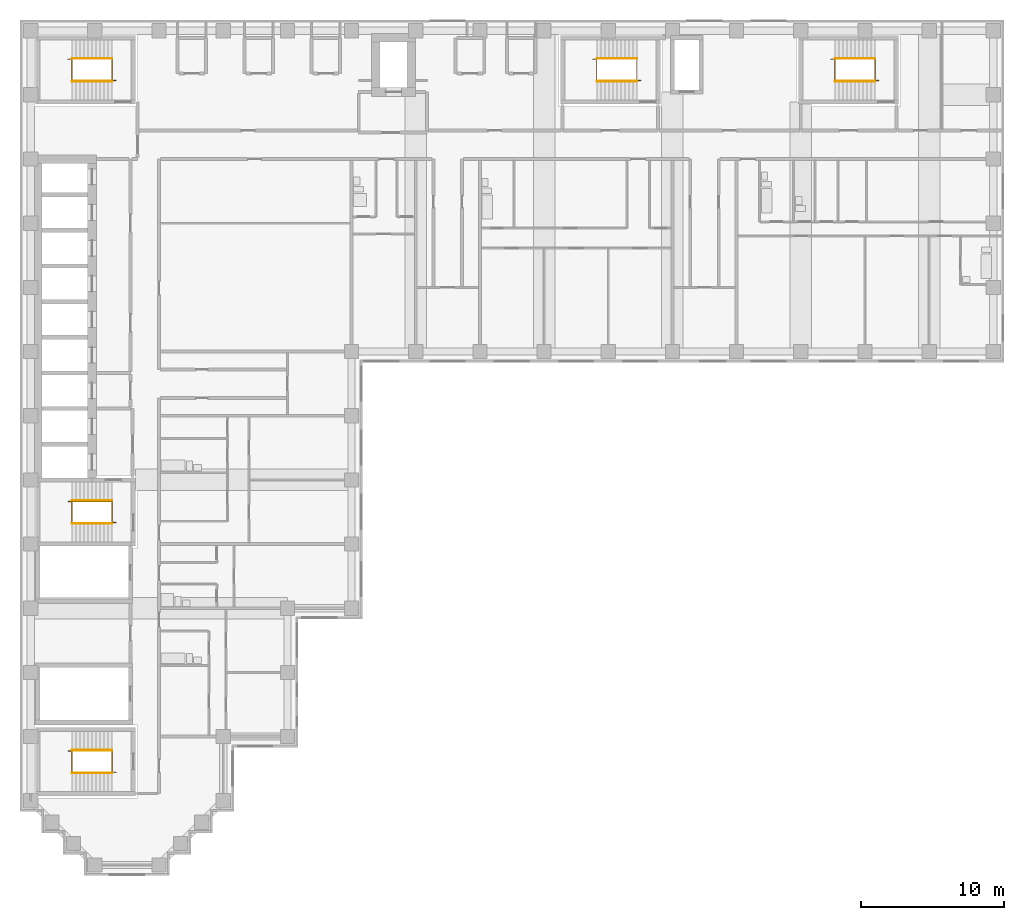
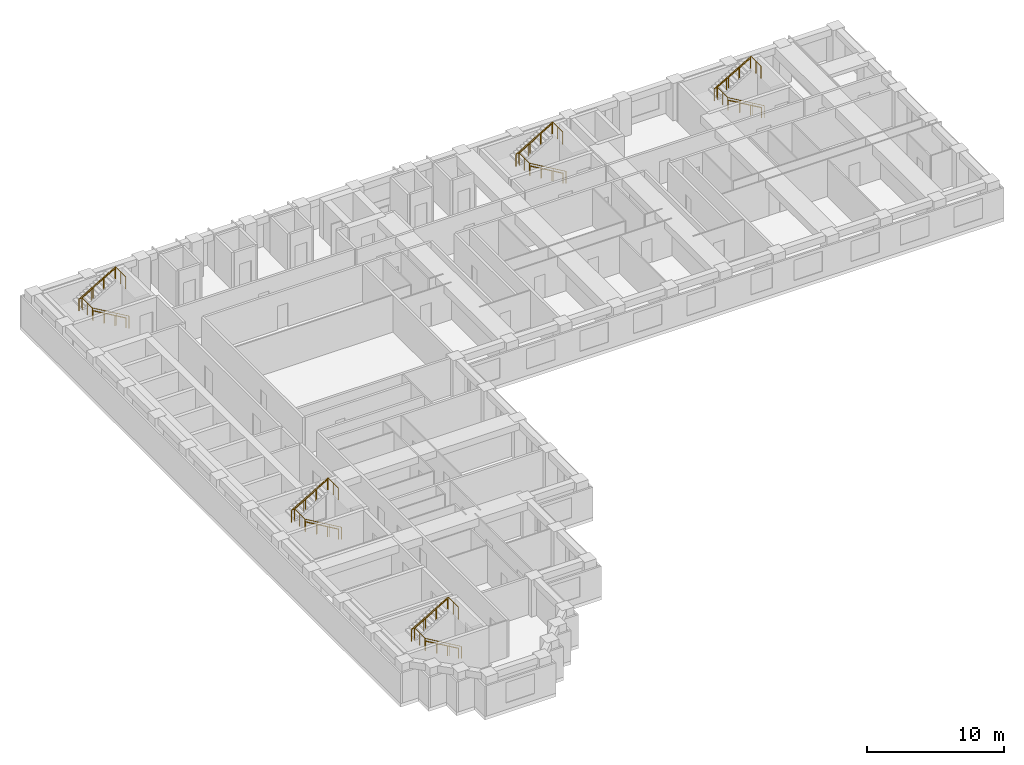
# One storey, part 11 of 12: 15 railings.
"""IFC4 building model written with IfcOpenShell, lengths in metres."""

from ifc_helpers import new_model, si_unit, direction, frame, origin, origin_2d, place, context, subcontext, project, spatial, circle, extrude, material, type_object, element, save


model = new_model("IFC4")

# Units and contexts
model_context = context("Model", 3, precision=1e-05, world=origin(), true_north=direction((0.0, 1.0)))
body_context = subcontext(model_context, "Body", "Model", "MODEL_VIEW")
ifc_project = project(units=[si_unit("LENGTHUNIT", "METRE"), si_unit("AREAUNIT", "SQUARE_METRE"), si_unit("VOLUMEUNIT", "CUBIC_METRE"), si_unit("PLANEANGLEUNIT", "RADIAN"), si_unit("MASSUNIT", "GRAM", prefix="KILO")], contexts=[model_context])

# Site, building, storey
site_placement = place(None, origin())
site = spatial("IfcSite", under=ifc_project, at=site_placement, CompositionType="ELEMENT")
building_placement = place(site_placement, origin())
building = spatial("IfcBuilding", under=site, at=building_placement, Name="Firuza Court", CompositionType="ELEMENT")
storey_placement = place(building_placement, frame((0.0, 0.0, 144.800048828125)))
storey = spatial("IfcBuildingStorey", under=building, at=storey_placement, Name="L36", CompositionType="ELEMENT", Elevation=144.800048828125)

# Railings
ifc_material_1 = material(Name="Steel S355", Category="steel")
railing_type_1 = type_object("IfcRailingType", Name="Handrail 900", PredefinedType="HANDRAIL", material=ifc_material_1)
railing_1_placement = place(storey_placement, frame((42.5, 54.949951171875, 0.16357421875)))
element("IfcRailing", 1, at=railing_1_placement, inside=storey, type_object=railing_type_1, Name="Handrail S1 flight 1", PredefinedType="HANDRAIL", context=body_context, shape_type="SweptSolid", body=[
    extrude(circle(Radius=0.02490234375, at=origin_2d()), frame((0.0, 0.0, 0.875), z_axis=(-0.863360870873, 0.0, 0.504586966384), x_axis=(0.0, -1.0, 0.0)), (0.0, 0.0, 1.0), 3.2431640625),
    extrude(circle(Radius=0.02001953125, at=origin_2d()), origin(), (0.0, 0.0, 1.0), 0.849853515625),
    extrude(circle(Radius=0.02001953125, at=origin_2d()), frame((-0.933349609375, 0.0, 0.54541015625)), (0.0, 0.0, 1.0), 0.849853515625),
    extrude(circle(Radius=0.02001953125, at=origin_2d()), frame((-1.86669921875, 0.0, 1.091064453125)), (0.0, 0.0, 1.0), 0.849853515625),
    extrude(circle(Radius=0.02001953125, at=origin_2d()), frame((-2.800048828125, 0.0, 1.636474609375)), (0.0, 0.0, 1.0), 0.849853515625),
])
railing_2_placement = place(storey_placement, frame((39.699951171875, 56.550048828125, 1.963623046875)))
element("IfcRailing", 2, at=railing_2_placement, inside=storey, type_object=railing_type_1, Name="Handrail S1 flight 2", PredefinedType="HANDRAIL", context=body_context, shape_type="SweptSolid", body=[
    extrude(circle(Radius=0.02490234375, at=origin_2d()), frame((0.0, 0.0, 0.875), z_axis=(0.863393664356, 0.0, 0.504530851732), x_axis=(0.0, 1.0, 0.0)), (0.0, 0.0, 1.0), 3.2431640625),
    extrude(circle(Radius=0.02001953125, at=origin_2d()), origin(), (0.0, 0.0, 1.0), 0.849853515625),
    extrude(circle(Radius=0.02001953125, at=origin_2d()), frame((0.933349609375, 0.0, 0.54541015625)), (0.0, 0.0, 1.0), 0.849853515625),
    extrude(circle(Radius=0.02001953125, at=origin_2d()), frame((1.86669921875, 0.0, 1.0908203125)), (0.0, 0.0, 1.0), 0.849853515625),
    extrude(circle(Radius=0.02001953125, at=origin_2d()), frame((2.800048828125, 0.0, 1.63623046875)), (0.0, 0.0, 1.0), 0.849853515625),
])
railing_3_placement = place(storey_placement, frame((5.699951171875, 23.949951171875, 0.16357421875)))
element("IfcRailing", 3, at=railing_3_placement, inside=storey, type_object=railing_type_1, Name="Handrail S2 flight 1", PredefinedType="HANDRAIL", context=body_context, shape_type="SweptSolid", body=[
    extrude(circle(Radius=0.02490234375, at=origin_2d()), frame((0.0, 0.0, 0.875), z_axis=(-0.863360870873, 0.0, 0.504586966384), x_axis=(0.0, -1.0, 0.0)), (0.0, 0.0, 1.0), 3.2431640625),
    extrude(circle(Radius=0.02001953125, at=origin_2d()), origin(), (0.0, 0.0, 1.0), 0.849853515625),
    extrude(circle(Radius=0.02001953125, at=origin_2d()), frame((-0.933349609375, 0.0, 0.54541015625)), (0.0, 0.0, 1.0), 0.849853515625),
    extrude(circle(Radius=0.02001953125, at=origin_2d()), frame((-1.86669921875, 0.0, 1.091064453125)), (0.0, 0.0, 1.0), 0.849853515625),
    extrude(circle(Radius=0.02001953125, at=origin_2d()), frame((-2.800048828125, 0.0, 1.636474609375)), (0.0, 0.0, 1.0), 0.849853515625),
])
railing_4_placement = place(storey_placement, frame((2.89990234375, 25.550048828125, 1.963623046875)))
element("IfcRailing", 4, at=railing_4_placement, inside=storey, type_object=railing_type_1, Name="Handrail S2 flight 2", PredefinedType="HANDRAIL", context=body_context, shape_type="SweptSolid", body=[
    extrude(circle(Radius=0.02490234375, at=origin_2d()), frame((0.0, 0.0, 0.875), z_axis=(0.863393664356, 0.0, 0.504530851732), x_axis=(0.0, 1.0, 0.0)), (0.0, 0.0, 1.0), 3.2431640625),
    extrude(circle(Radius=0.02001953125, at=origin_2d()), origin(), (0.0, 0.0, 1.0), 0.849853515625),
    extrude(circle(Radius=0.02001953125, at=origin_2d()), frame((0.933349609375, 0.0, 0.54541015625)), (0.0, 0.0, 1.0), 0.849853515625),
    extrude(circle(Radius=0.02001953125, at=origin_2d()), frame((1.86669921875, 0.0, 1.0908203125)), (0.0, 0.0, 1.0), 0.849853515625),
    extrude(circle(Radius=0.02001953125, at=origin_2d()), frame((2.800048828125, 0.0, 1.63623046875)), (0.0, 0.0, 1.0), 0.849853515625),
])
railing_5_placement = place(storey_placement, frame((5.699951171875, 54.949951171875, 0.16357421875)))
element("IfcRailing", 5, at=railing_5_placement, inside=storey, type_object=railing_type_1, Name="Handrail S3 flight 1", PredefinedType="HANDRAIL", context=body_context, shape_type="SweptSolid", body=[
    extrude(circle(Radius=0.02490234375, at=origin_2d()), frame((0.0, 0.0, 0.875), z_axis=(-0.863360870873, 0.0, 0.504586966384), x_axis=(0.0, -1.0, 0.0)), (0.0, 0.0, 1.0), 3.2431640625),
    extrude(circle(Radius=0.02001953125, at=origin_2d()), origin(), (0.0, 0.0, 1.0), 0.849853515625),
    extrude(circle(Radius=0.02001953125, at=origin_2d()), frame((-0.933349609375, 0.0, 0.54541015625)), (0.0, 0.0, 1.0), 0.849853515625),
    extrude(circle(Radius=0.02001953125, at=origin_2d()), frame((-1.86669921875, 0.0, 1.091064453125)), (0.0, 0.0, 1.0), 0.849853515625),
    extrude(circle(Radius=0.02001953125, at=origin_2d()), frame((-2.800048828125, 0.0, 1.636474609375)), (0.0, 0.0, 1.0), 0.849853515625),
])
railing_6_placement = place(storey_placement, frame((2.89990234375, 56.550048828125, 1.963623046875)))
element("IfcRailing", 6, at=railing_6_placement, inside=storey, type_object=railing_type_1, Name="Handrail S3 flight 2", PredefinedType="HANDRAIL", context=body_context, shape_type="SweptSolid", body=[
    extrude(circle(Radius=0.02490234375, at=origin_2d()), frame((0.0, 0.0, 0.875), z_axis=(0.863393664356, 0.0, 0.504530851732), x_axis=(0.0, 1.0, 0.0)), (0.0, 0.0, 1.0), 3.2431640625),
    extrude(circle(Radius=0.02001953125, at=origin_2d()), origin(), (0.0, 0.0, 1.0), 0.849853515625),
    extrude(circle(Radius=0.02001953125, at=origin_2d()), frame((0.933349609375, 0.0, 0.54541015625)), (0.0, 0.0, 1.0), 0.849853515625),
    extrude(circle(Radius=0.02001953125, at=origin_2d()), frame((1.86669921875, 0.0, 1.0908203125)), (0.0, 0.0, 1.0), 0.849853515625),
    extrude(circle(Radius=0.02001953125, at=origin_2d()), frame((2.800048828125, 0.0, 1.63623046875)), (0.0, 0.0, 1.0), 0.849853515625),
])
railing_7_placement = place(storey_placement, frame((59.199951171875, 54.949951171875, 0.16357421875)))
element("IfcRailing", 7, at=railing_7_placement, inside=storey, type_object=railing_type_1, Name="Handrail S4 flight 1", PredefinedType="HANDRAIL", context=body_context, shape_type="SweptSolid", body=[
    extrude(circle(Radius=0.02490234375, at=origin_2d()), frame((0.0, 0.0, 0.875), z_axis=(-0.863360870873, 0.0, 0.504586966384), x_axis=(0.0, -1.0, 0.0)), (0.0, 0.0, 1.0), 3.2431640625),
    extrude(circle(Radius=0.02001953125, at=origin_2d()), origin(), (0.0, 0.0, 1.0), 0.849853515625),
    extrude(circle(Radius=0.02001953125, at=origin_2d()), frame((-0.933349609375, 0.0, 0.54541015625)), (0.0, 0.0, 1.0), 0.849853515625),
    extrude(circle(Radius=0.02001953125, at=origin_2d()), frame((-1.86669921875, 0.0, 1.091064453125)), (0.0, 0.0, 1.0), 0.849853515625),
    extrude(circle(Radius=0.02001953125, at=origin_2d()), frame((-2.800048828125, 0.0, 1.636474609375)), (0.0, 0.0, 1.0), 0.849853515625),
])
railing_8_placement = place(storey_placement, frame((56.39990234375, 56.550048828125, 1.963623046875)))
element("IfcRailing", 8, at=railing_8_placement, inside=storey, type_object=railing_type_1, Name="Handrail S4 flight 2", PredefinedType="HANDRAIL", context=body_context, shape_type="SweptSolid", body=[
    extrude(circle(Radius=0.02490234375, at=origin_2d()), frame((0.0, 0.0, 0.875), z_axis=(0.863393664356, 0.0, 0.504530851732), x_axis=(0.0, 1.0, 0.0)), (0.0, 0.0, 1.0), 3.2431640625),
    extrude(circle(Radius=0.02001953125, at=origin_2d()), origin(), (0.0, 0.0, 1.0), 0.849853515625),
    extrude(circle(Radius=0.02001953125, at=origin_2d()), frame((0.933349609375, 0.0, 0.54541015625)), (0.0, 0.0, 1.0), 0.849853515625),
    extrude(circle(Radius=0.02001953125, at=origin_2d()), frame((1.86669921875, 0.0, 1.0908203125)), (0.0, 0.0, 1.0), 0.849853515625),
    extrude(circle(Radius=0.02001953125, at=origin_2d()), frame((2.800048828125, 0.0, 1.63623046875)), (0.0, 0.0, 1.0), 0.849853515625),
])
railing_9_placement = place(storey_placement, frame((5.699951171875, 6.449951171875, 0.16357421875)))
element("IfcRailing", 9, at=railing_9_placement, inside=storey, type_object=railing_type_1, Name="Handrail S5 flight 1", PredefinedType="HANDRAIL", context=body_context, shape_type="SweptSolid", body=[
    extrude(circle(Radius=0.02490234375, at=origin_2d()), frame((0.0, 0.0, 0.875), z_axis=(-0.863360870873, 0.0, 0.504586966384), x_axis=(0.0, -1.0, 0.0)), (0.0, 0.0, 1.0), 3.2431640625),
    extrude(circle(Radius=0.02001953125, at=origin_2d()), origin(), (0.0, 0.0, 1.0), 0.849853515625),
    extrude(circle(Radius=0.02001953125, at=origin_2d()), frame((-0.933349609375, 0.0, 0.54541015625)), (0.0, 0.0, 1.0), 0.849853515625),
    extrude(circle(Radius=0.02001953125, at=origin_2d()), frame((-1.86669921875, 0.0, 1.091064453125)), (0.0, 0.0, 1.0), 0.849853515625),
    extrude(circle(Radius=0.02001953125, at=origin_2d()), frame((-2.800048828125, 0.0, 1.636474609375)), (0.0, 0.0, 1.0), 0.849853515625),
])
railing_10_placement = place(storey_placement, frame((2.89990234375, 8.050048828125, 1.963623046875)))
element("IfcRailing", 10, at=railing_10_placement, inside=storey, type_object=railing_type_1, Name="Handrail S5 flight 2", PredefinedType="HANDRAIL", context=body_context, shape_type="SweptSolid", body=[
    extrude(circle(Radius=0.02490234375, at=origin_2d()), frame((0.0, 0.0, 0.875), z_axis=(0.863393664356, 0.0, 0.504530851732), x_axis=(0.0, 1.0, 0.0)), (0.0, 0.0, 1.0), 3.2431640625),
    extrude(circle(Radius=0.02001953125, at=origin_2d()), origin(), (0.0, 0.0, 1.0), 0.849853515625),
    extrude(circle(Radius=0.02001953125, at=origin_2d()), frame((0.933349609375, 0.0, 0.54541015625)), (0.0, 0.0, 1.0), 0.849853515625),
    extrude(circle(Radius=0.02001953125, at=origin_2d()), frame((1.86669921875, 0.0, 1.0908203125)), (0.0, 0.0, 1.0), 0.849853515625),
    extrude(circle(Radius=0.02001953125, at=origin_2d()), frame((2.800048828125, 0.0, 1.63623046875)), (0.0, 0.0, 1.0), 0.849853515625),
])
ifc_material_2 = material(Name="Steel S355", Category="steel")
railing_type_2 = type_object("IfcRailingType", Name="Stair guard 1100", PredefinedType="GUARDRAIL", material=ifc_material_2)
railing_11_placement = place(storey_placement, frame((42.780029296875, 55.010009765625, 0.0)))
element("IfcRailing", 11, at=railing_11_placement, inside=storey, type_object=railing_type_2, Name="Stair well guard S1", PredefinedType="GUARDRAIL", context=body_context, shape_type="SweptSolid", body=[
    extrude(circle(Radius=0.02490234375, at=origin_2d()), frame((0.0, 0.0, 1.0751953125), z_axis=(-0.863371556955, 0.0, 0.504568681787), x_axis=(0.0, -1.0, 0.0)), (0.0, 0.0, 1.0), 3.5673828125),
    extrude(circle(Radius=0.02490234375, at=origin_2d()), frame((-3.080078125, 0.0, 2.875), z_axis=(0.0, 1.0, 0.0), x_axis=(-1.0, 0.0, 0.0)), (0.0, 0.0, 1.0), 1.47998046875),
    extrude(circle(Radius=0.02490234375, at=origin_2d()), frame((-3.080078125, 1.47998046875, 2.875), z_axis=(-1.0, 0.0, 0.0), x_axis=(0.0, -1.0, 0.0)), (0.0, 0.0, 1.0), 0.280029296875),
    extrude(circle(Radius=0.02490234375, at=origin_2d()), frame((-3.360107421875, 1.47998046875, 2.875), z_axis=(0.863401368682, 0.0, 0.504517667242), x_axis=(0.0, 1.0, 0.0)), (0.0, 0.0, 1.0), 3.5673828125),
    extrude(circle(Radius=0.02490234375, at=origin_2d()), frame((-0.280029296875, 1.47998046875, 4.6748046875), z_axis=(0.0, -1.0, 0.0), x_axis=(1.0, 0.0, 0.0)), (0.0, 0.0, 1.0), 1.47998046875),
    extrude(circle(Radius=0.02490234375, at=origin_2d()), origin(), (0.0, 0.0, 1.0), 1.050048828125),
    extrude(circle(Radius=0.02490234375, at=origin_2d()), frame((-1.026611328125, 0.0, 0.60009765625)), (0.0, 0.0, 1.0), 1.050048828125),
    extrude(circle(Radius=0.02490234375, at=origin_2d()), frame((-2.053466796875, 0.0, 1.199951171875)), (0.0, 0.0, 1.0), 1.050048828125),
    extrude(circle(Radius=0.02490234375, at=origin_2d()), frame((-3.080078125, 0.0, 1.800048828125)), (0.0, 0.0, 1.0), 1.050048828125),
    extrude(circle(Radius=0.02490234375, at=origin_2d()), frame((-3.080078125, 0.739990234375, 1.800048828125)), (0.0, 0.0, 1.0), 1.050048828125),
    extrude(circle(Radius=0.02490234375, at=origin_2d()), frame((-3.080078125, 1.47998046875, 1.800048828125)), (0.0, 0.0, 1.0), 1.050048828125),
    extrude(circle(Radius=0.02490234375, at=origin_2d()), frame((-3.360107421875, 1.47998046875, 1.800048828125)), (0.0, 0.0, 1.0), 1.050048828125),
    extrude(circle(Radius=0.02490234375, at=origin_2d()), frame((-2.33349609375, 1.47998046875, 2.39990234375)), (0.0, 0.0, 1.0), 1.050048828125),
    extrude(circle(Radius=0.02490234375, at=origin_2d()), frame((-1.306640625, 1.47998046875, 3.0)), (0.0, 0.0, 1.0), 1.050048828125),
    extrude(circle(Radius=0.02490234375, at=origin_2d()), frame((-0.280029296875, 1.47998046875, 3.599853515625)), (0.0, 0.0, 1.0), 1.050048828125),
    extrude(circle(Radius=0.02490234375, at=origin_2d()), frame((-0.280029296875, 0.739990234375, 3.599853515625)), (0.0, 0.0, 1.0), 1.050048828125),
    extrude(circle(Radius=0.02490234375, at=origin_2d()), frame((-0.280029296875, 0.0, 3.599853515625)), (0.0, 0.0, 1.0), 1.050048828125),
])
railing_12_placement = place(storey_placement, frame((5.97998046875, 24.010009765625, 0.0)))
element("IfcRailing", 12, at=railing_12_placement, inside=storey, type_object=railing_type_2, Name="Stair well guard S2", PredefinedType="GUARDRAIL", context=body_context, shape_type="SweptSolid", body=[
    extrude(circle(Radius=0.02490234375, at=origin_2d()), frame((0.0, 0.0, 1.0751953125), z_axis=(-0.863371556955, 0.0, 0.504568681787), x_axis=(0.0, -1.0, 0.0)), (0.0, 0.0, 1.0), 3.5673828125),
    extrude(circle(Radius=0.02490234375, at=origin_2d()), frame((-3.080078125, 0.0, 2.875), z_axis=(0.0, 1.0, 0.0), x_axis=(-1.0, 0.0, 0.0)), (0.0, 0.0, 1.0), 1.47998046875),
    extrude(circle(Radius=0.02490234375, at=origin_2d()), frame((-3.080078125, 1.47998046875, 2.875), z_axis=(-1.0, 0.0, 0.0), x_axis=(0.0, -1.0, 0.0)), (0.0, 0.0, 1.0), 0.27978515625),
    extrude(circle(Radius=0.02490234375, at=origin_2d()), frame((-3.35986328125, 1.47998046875, 2.875), z_axis=(0.863383947312, 0.0, 0.504547479951), x_axis=(0.0, 1.0, 0.0)), (0.0, 0.0, 1.0), 3.567138671875),
    extrude(circle(Radius=0.02490234375, at=origin_2d()), frame((-0.280029296875, 1.47998046875, 4.6748046875), z_axis=(0.0, -1.0, 0.0), x_axis=(1.0, 0.0, 0.0)), (0.0, 0.0, 1.0), 1.47998046875),
    extrude(circle(Radius=0.02490234375, at=origin_2d()), origin(), (0.0, 0.0, 1.0), 1.050048828125),
    extrude(circle(Radius=0.02490234375, at=origin_2d()), frame((-1.026611328125, 0.0, 0.60009765625)), (0.0, 0.0, 1.0), 1.050048828125),
    extrude(circle(Radius=0.02490234375, at=origin_2d()), frame((-2.053466796875, 0.0, 1.199951171875)), (0.0, 0.0, 1.0), 1.050048828125),
    extrude(circle(Radius=0.02490234375, at=origin_2d()), frame((-3.080078125, 0.0, 1.800048828125)), (0.0, 0.0, 1.0), 1.050048828125),
    extrude(circle(Radius=0.02490234375, at=origin_2d()), frame((-3.080078125, 0.739990234375, 1.800048828125)), (0.0, 0.0, 1.0), 1.050048828125),
    extrude(circle(Radius=0.02490234375, at=origin_2d()), frame((-3.080078125, 1.47998046875, 1.800048828125)), (0.0, 0.0, 1.0), 1.050048828125),
    extrude(circle(Radius=0.02490234375, at=origin_2d()), frame((-3.35986328125, 1.47998046875, 1.800048828125)), (0.0, 0.0, 1.0), 1.050048828125),
    extrude(circle(Radius=0.02490234375, at=origin_2d()), frame((-2.333251953125, 1.47998046875, 2.39990234375)), (0.0, 0.0, 1.0), 1.050048828125),
    extrude(circle(Radius=0.02490234375, at=origin_2d()), frame((-1.306640625, 1.47998046875, 3.0)), (0.0, 0.0, 1.0), 1.050048828125),
    extrude(circle(Radius=0.02490234375, at=origin_2d()), frame((-0.280029296875, 1.47998046875, 3.599853515625)), (0.0, 0.0, 1.0), 1.050048828125),
    extrude(circle(Radius=0.02490234375, at=origin_2d()), frame((-0.280029296875, 0.739990234375, 3.599853515625)), (0.0, 0.0, 1.0), 1.050048828125),
    extrude(circle(Radius=0.02490234375, at=origin_2d()), frame((-0.280029296875, 0.0, 3.599853515625)), (0.0, 0.0, 1.0), 1.050048828125),
])
railing_13_placement = place(storey_placement, frame((5.97998046875, 55.010009765625, 0.0)))
element("IfcRailing", 13, at=railing_13_placement, inside=storey, type_object=railing_type_2, Name="Stair well guard S3", PredefinedType="GUARDRAIL", context=body_context, shape_type="SweptSolid", body=[
    extrude(circle(Radius=0.02490234375, at=origin_2d()), frame((0.0, 0.0, 1.0751953125), z_axis=(-0.863371556955, 0.0, 0.504568681787), x_axis=(0.0, -1.0, 0.0)), (0.0, 0.0, 1.0), 3.5673828125),
    extrude(circle(Radius=0.02490234375, at=origin_2d()), frame((-3.080078125, 0.0, 2.875), z_axis=(0.0, 1.0, 0.0), x_axis=(-1.0, 0.0, 0.0)), (0.0, 0.0, 1.0), 1.47998046875),
    extrude(circle(Radius=0.02490234375, at=origin_2d()), frame((-3.080078125, 1.47998046875, 2.875), z_axis=(-1.0, 0.0, 0.0), x_axis=(0.0, -1.0, 0.0)), (0.0, 0.0, 1.0), 0.27978515625),
    extrude(circle(Radius=0.02490234375, at=origin_2d()), frame((-3.35986328125, 1.47998046875, 2.875), z_axis=(0.863383947312, 0.0, 0.504547479951), x_axis=(0.0, 1.0, 0.0)), (0.0, 0.0, 1.0), 3.567138671875),
    extrude(circle(Radius=0.02490234375, at=origin_2d()), frame((-0.280029296875, 1.47998046875, 4.6748046875), z_axis=(0.0, -1.0, 0.0), x_axis=(1.0, 0.0, 0.0)), (0.0, 0.0, 1.0), 1.47998046875),
    extrude(circle(Radius=0.02490234375, at=origin_2d()), origin(), (0.0, 0.0, 1.0), 1.050048828125),
    extrude(circle(Radius=0.02490234375, at=origin_2d()), frame((-1.026611328125, 0.0, 0.60009765625)), (0.0, 0.0, 1.0), 1.050048828125),
    extrude(circle(Radius=0.02490234375, at=origin_2d()), frame((-2.053466796875, 0.0, 1.199951171875)), (0.0, 0.0, 1.0), 1.050048828125),
    extrude(circle(Radius=0.02490234375, at=origin_2d()), frame((-3.080078125, 0.0, 1.800048828125)), (0.0, 0.0, 1.0), 1.050048828125),
    extrude(circle(Radius=0.02490234375, at=origin_2d()), frame((-3.080078125, 0.739990234375, 1.800048828125)), (0.0, 0.0, 1.0), 1.050048828125),
    extrude(circle(Radius=0.02490234375, at=origin_2d()), frame((-3.080078125, 1.47998046875, 1.800048828125)), (0.0, 0.0, 1.0), 1.050048828125),
    extrude(circle(Radius=0.02490234375, at=origin_2d()), frame((-3.35986328125, 1.47998046875, 1.800048828125)), (0.0, 0.0, 1.0), 1.050048828125),
    extrude(circle(Radius=0.02490234375, at=origin_2d()), frame((-2.333251953125, 1.47998046875, 2.39990234375)), (0.0, 0.0, 1.0), 1.050048828125),
    extrude(circle(Radius=0.02490234375, at=origin_2d()), frame((-1.306640625, 1.47998046875, 3.0)), (0.0, 0.0, 1.0), 1.050048828125),
    extrude(circle(Radius=0.02490234375, at=origin_2d()), frame((-0.280029296875, 1.47998046875, 3.599853515625)), (0.0, 0.0, 1.0), 1.050048828125),
    extrude(circle(Radius=0.02490234375, at=origin_2d()), frame((-0.280029296875, 0.739990234375, 3.599853515625)), (0.0, 0.0, 1.0), 1.050048828125),
    extrude(circle(Radius=0.02490234375, at=origin_2d()), frame((-0.280029296875, 0.0, 3.599853515625)), (0.0, 0.0, 1.0), 1.050048828125),
])
railing_14_placement = place(storey_placement, frame((59.47998046875, 55.010009765625, 0.0)))
element("IfcRailing", 14, at=railing_14_placement, inside=storey, type_object=railing_type_2, Name="Stair well guard S4", PredefinedType="GUARDRAIL", context=body_context, shape_type="SweptSolid", body=[
    extrude(circle(Radius=0.02490234375, at=origin_2d()), frame((0.0, 0.0, 1.0751953125), z_axis=(-0.863371556955, 0.0, 0.504568681787), x_axis=(0.0, -1.0, 0.0)), (0.0, 0.0, 1.0), 3.5673828125),
    extrude(circle(Radius=0.02490234375, at=origin_2d()), frame((-3.080078125, 0.0, 2.875), z_axis=(0.0, 1.0, 0.0), x_axis=(-1.0, 0.0, 0.0)), (0.0, 0.0, 1.0), 1.47998046875),
    extrude(circle(Radius=0.02490234375, at=origin_2d()), frame((-3.080078125, 1.47998046875, 2.875), z_axis=(-1.0, 0.0, 0.0), x_axis=(0.0, -1.0, 0.0)), (0.0, 0.0, 1.0), 0.27978515625),
    extrude(circle(Radius=0.02490234375, at=origin_2d()), frame((-3.35986328125, 1.47998046875, 2.875), z_axis=(0.863383947312, 0.0, 0.504547479951), x_axis=(0.0, 1.0, 0.0)), (0.0, 0.0, 1.0), 3.567138671875),
    extrude(circle(Radius=0.02490234375, at=origin_2d()), frame((-0.280029296875, 1.47998046875, 4.6748046875), z_axis=(0.0, -1.0, 0.0), x_axis=(1.0, 0.0, 0.0)), (0.0, 0.0, 1.0), 1.47998046875),
    extrude(circle(Radius=0.02490234375, at=origin_2d()), origin(), (0.0, 0.0, 1.0), 1.050048828125),
    extrude(circle(Radius=0.02490234375, at=origin_2d()), frame((-1.026611328125, 0.0, 0.60009765625)), (0.0, 0.0, 1.0), 1.050048828125),
    extrude(circle(Radius=0.02490234375, at=origin_2d()), frame((-2.053466796875, 0.0, 1.199951171875)), (0.0, 0.0, 1.0), 1.050048828125),
    extrude(circle(Radius=0.02490234375, at=origin_2d()), frame((-3.080078125, 0.0, 1.800048828125)), (0.0, 0.0, 1.0), 1.050048828125),
    extrude(circle(Radius=0.02490234375, at=origin_2d()), frame((-3.080078125, 0.739990234375, 1.800048828125)), (0.0, 0.0, 1.0), 1.050048828125),
    extrude(circle(Radius=0.02490234375, at=origin_2d()), frame((-3.080078125, 1.47998046875, 1.800048828125)), (0.0, 0.0, 1.0), 1.050048828125),
    extrude(circle(Radius=0.02490234375, at=origin_2d()), frame((-3.35986328125, 1.47998046875, 1.800048828125)), (0.0, 0.0, 1.0), 1.050048828125),
    extrude(circle(Radius=0.02490234375, at=origin_2d()), frame((-2.333251953125, 1.47998046875, 2.39990234375)), (0.0, 0.0, 1.0), 1.050048828125),
    extrude(circle(Radius=0.02490234375, at=origin_2d()), frame((-1.306640625, 1.47998046875, 3.0)), (0.0, 0.0, 1.0), 1.050048828125),
    extrude(circle(Radius=0.02490234375, at=origin_2d()), frame((-0.280029296875, 1.47998046875, 3.599853515625)), (0.0, 0.0, 1.0), 1.050048828125),
    extrude(circle(Radius=0.02490234375, at=origin_2d()), frame((-0.280029296875, 0.739990234375, 3.599853515625)), (0.0, 0.0, 1.0), 1.050048828125),
    extrude(circle(Radius=0.02490234375, at=origin_2d()), frame((-0.280029296875, 0.0, 3.599853515625)), (0.0, 0.0, 1.0), 1.050048828125),
])
railing_15_placement = place(storey_placement, frame((5.97998046875, 6.510009765625, 0.0)))
element("IfcRailing", 15, at=railing_15_placement, inside=storey, type_object=railing_type_2, Name="Stair well guard S5", PredefinedType="GUARDRAIL", context=body_context, shape_type="SweptSolid", body=[
    extrude(circle(Radius=0.02490234375, at=origin_2d()), frame((0.0, 0.0, 1.0751953125), z_axis=(-0.863371556955, 0.0, 0.504568681787), x_axis=(0.0, -1.0, 0.0)), (0.0, 0.0, 1.0), 3.5673828125),
    extrude(circle(Radius=0.02490234375, at=origin_2d()), frame((-3.080078125, 0.0, 2.875), z_axis=(0.0, 1.0, 0.0), x_axis=(-1.0, 0.0, 0.0)), (0.0, 0.0, 1.0), 1.47998046875),
    extrude(circle(Radius=0.02490234375, at=origin_2d()), frame((-3.080078125, 1.47998046875, 2.875), z_axis=(-1.0, 0.0, 0.0), x_axis=(0.0, -1.0, 0.0)), (0.0, 0.0, 1.0), 0.27978515625),
    extrude(circle(Radius=0.02490234375, at=origin_2d()), frame((-3.35986328125, 1.47998046875, 2.875), z_axis=(0.863383947312, 0.0, 0.504547479951), x_axis=(0.0, 1.0, 0.0)), (0.0, 0.0, 1.0), 3.567138671875),
    extrude(circle(Radius=0.02490234375, at=origin_2d()), frame((-0.280029296875, 1.47998046875, 4.6748046875), z_axis=(0.0, -1.0, 0.0), x_axis=(1.0, 0.0, 0.0)), (0.0, 0.0, 1.0), 1.47998046875),
    extrude(circle(Radius=0.02490234375, at=origin_2d()), origin(), (0.0, 0.0, 1.0), 1.050048828125),
    extrude(circle(Radius=0.02490234375, at=origin_2d()), frame((-1.026611328125, 0.0, 0.60009765625)), (0.0, 0.0, 1.0), 1.050048828125),
    extrude(circle(Radius=0.02490234375, at=origin_2d()), frame((-2.053466796875, 0.0, 1.199951171875)), (0.0, 0.0, 1.0), 1.050048828125),
    extrude(circle(Radius=0.02490234375, at=origin_2d()), frame((-3.080078125, 0.0, 1.800048828125)), (0.0, 0.0, 1.0), 1.050048828125),
    extrude(circle(Radius=0.02490234375, at=origin_2d()), frame((-3.080078125, 0.739990234375, 1.800048828125)), (0.0, 0.0, 1.0), 1.050048828125),
    extrude(circle(Radius=0.02490234375, at=origin_2d()), frame((-3.080078125, 1.47998046875, 1.800048828125)), (0.0, 0.0, 1.0), 1.050048828125),
    extrude(circle(Radius=0.02490234375, at=origin_2d()), frame((-3.35986328125, 1.47998046875, 1.800048828125)), (0.0, 0.0, 1.0), 1.050048828125),
    extrude(circle(Radius=0.02490234375, at=origin_2d()), frame((-2.333251953125, 1.47998046875, 2.39990234375)), (0.0, 0.0, 1.0), 1.050048828125),
    extrude(circle(Radius=0.02490234375, at=origin_2d()), frame((-1.306640625, 1.47998046875, 3.0)), (0.0, 0.0, 1.0), 1.050048828125),
    extrude(circle(Radius=0.02490234375, at=origin_2d()), frame((-0.280029296875, 1.47998046875, 3.599853515625)), (0.0, 0.0, 1.0), 1.050048828125),
    extrude(circle(Radius=0.02490234375, at=origin_2d()), frame((-0.280029296875, 0.739990234375, 3.599853515625)), (0.0, 0.0, 1.0), 1.050048828125),
    extrude(circle(Radius=0.02490234375, at=origin_2d()), frame((-0.280029296875, 0.0, 3.599853515625)), (0.0, 0.0, 1.0), 1.050048828125),
])

save(model, "model.ifc")
